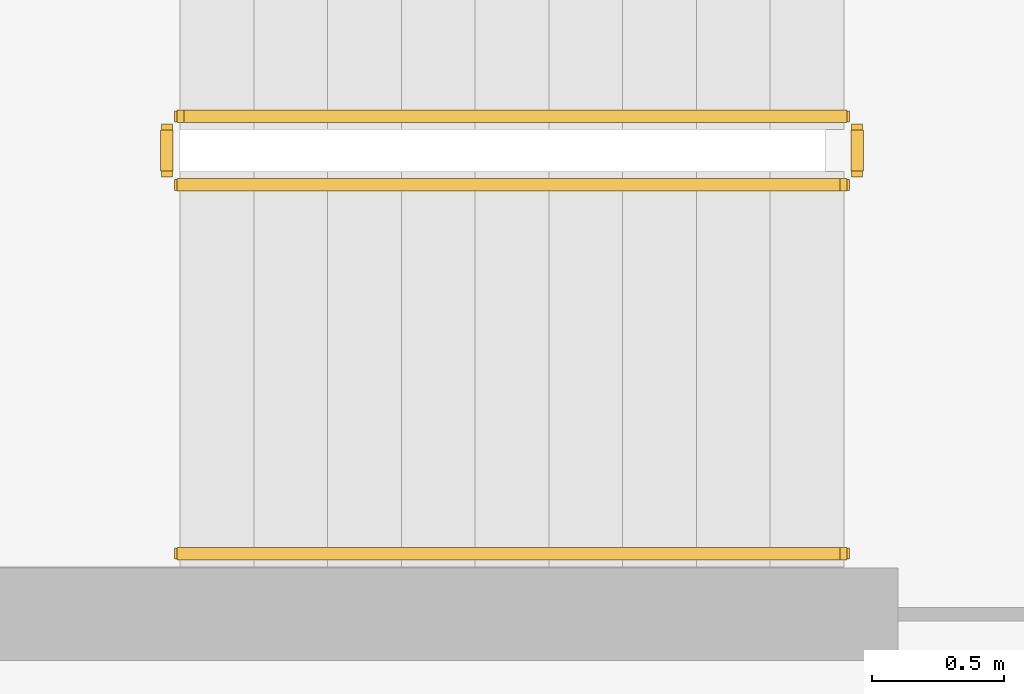
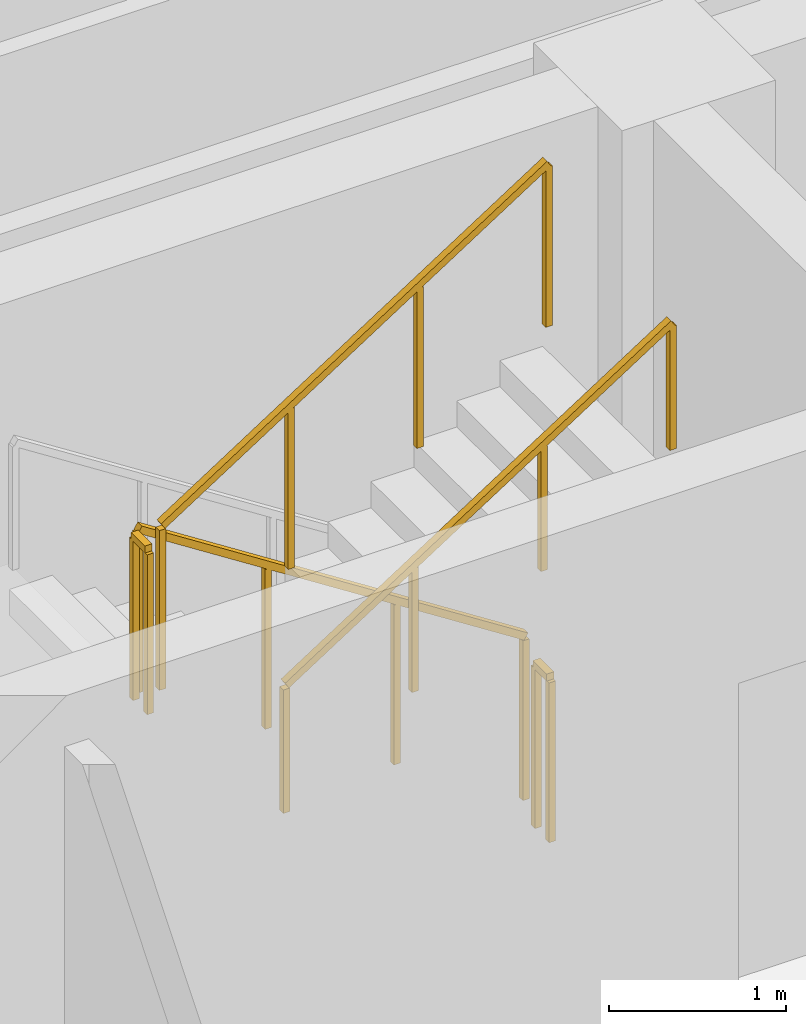
# One storey, part 11 of 13: 5 railings.
"""IFC4 building model written with IfcOpenShell, lengths in metres."""

from ifc_helpers import new_model, si_unit, direction, frame, origin, origin_2d, place, context, subcontext, project, spatial, rectangle, extrude, material, type_object, element, save


model = new_model("IFC4")

# Units and contexts
model_context = context("Model", 3, precision=1e-05, world=origin(), true_north=direction((0.0, 1.0)))
body_context = subcontext(model_context, "Body", "Model", "MODEL_VIEW")
ifc_project = project(units=[si_unit("LENGTHUNIT", "METRE"), si_unit("AREAUNIT", "SQUARE_METRE"), si_unit("VOLUMEUNIT", "CUBIC_METRE"), si_unit("PLANEANGLEUNIT", "RADIAN"), si_unit("MASSUNIT", "GRAM", prefix="KILO")], contexts=[model_context])

# Site, building, storey
site_placement = place(None, origin())
site = spatial("IfcSite", under=ifc_project, at=site_placement, CompositionType="ELEMENT")
building_placement = place(site_placement, origin())
building = spatial("IfcBuilding", under=site, at=building_placement, Name="Zarnavel Station Tower", CompositionType="ELEMENT")
storey_placement = place(building_placement, frame((0.0, 0.0, 240.0)))
storey = spatial("IfcBuildingStorey", under=building, at=storey_placement, Name="L65", CompositionType="ELEMENT", Elevation=240.0)

# Railings
ifc_material_1 = material(Name="Painted Steel S355J2 Balustrade", Category="steel")
railing_type_1 = type_object("IfcRailingType", Name="GR_INT_1150", PredefinedType="GUARDRAIL", material=ifc_material_1)
railing_1_placement = place(storey_placement, frame((19.47998046875, 35.3701171875, 0.179931640625)))
element("IfcRailing", 1, at=railing_1_placement, inside=storey, type_object=railing_type_1, Name="L65 ST1 stair guard 1", PredefinedType="GUARDRAIL", context=body_context, shape_type="SweptSolid", body=[
    extrude(rectangle(XDim=0.048095703125, YDim=0.048095703125, at=origin_2d()), frame((-0.001708984375, 0.0, 1.126953125), z_axis=(-0.841162588446, 0.0, 0.540782303519), x_axis=(0.0, -1.0, 0.0)), (0.0, 0.0, 1.0), 2.991943359375),
    extrude(rectangle(XDim=0.0419921875, YDim=0.0419921875, at=origin_2d()), origin(), (0.0, 0.0, 1.0), 1.101806640625),
    extrude(rectangle(XDim=0.0419921875, YDim=0.0419921875, at=origin_2d()), frame((-0.840087890625, 0.0, 0.5400390625)), (0.0, 0.0, 1.0), 1.101806640625),
    extrude(rectangle(XDim=0.0419921875, YDim=0.0419921875, at=origin_2d()), frame((-1.679931640625, 0.0, 1.080078125)), (0.0, 0.0, 1.0), 1.101806640625),
    extrude(rectangle(XDim=0.0419921875, YDim=0.0419921875, at=origin_2d()), frame((-2.52001953125, 0.0, 1.6201171875)), (0.0, 0.0, 1.0), 1.101806640625),
])
railing_2_placement = place(storey_placement, frame((16.909912109375, 35.320068359375, 1.800048828125)))
element("IfcRailing", 2, at=railing_2_placement, inside=storey, type_object=railing_type_1, Name="L65 ST1 stair guard 2", PredefinedType="GUARDRAIL", context=body_context, shape_type="SweptSolid", body=[
    extrude(rectangle(XDim=0.048095703125, YDim=0.048095703125, at=origin_2d()), frame((0.0, -0.001953125, 1.1259765625), z_axis=(0.0, -1.0, 0.0), x_axis=(1.0, 0.0, 0.0)), (0.0, 0.0, 1.0), 0.15625),
    extrude(rectangle(XDim=0.0419921875, YDim=0.0419921875, at=origin_2d()), origin(), (0.0, 0.0, 1.0), 1.101806640625),
    extrude(rectangle(XDim=0.0419921875, YDim=0.0419921875, at=origin_2d()), frame((0.0, -0.16015625, 0.0)), (0.0, 0.0, 1.0), 1.101806640625),
])
railing_3_placement = place(storey_placement, frame((16.9599609375, 35.110107421875, 1.97998046875)))
element("IfcRailing", 3, at=railing_3_placement, inside=storey, type_object=railing_type_1, Name="L65 ST1 stair guard 3", PredefinedType="GUARDRAIL", context=body_context, shape_type="SweptSolid", body=[
    extrude(rectangle(XDim=0.048095703125, YDim=0.048095703125, at=origin_2d()), frame((0.001708984375, 0.0, 1.126953125), z_axis=(0.841162588446, 0.0, 0.540782303519), x_axis=(0.0, 1.0, 0.0)), (0.0, 0.0, 1.0), 2.991943359375),
    extrude(rectangle(XDim=0.0419921875, YDim=0.0419921875, at=origin_2d()), origin(), (0.0, 0.0, 1.0), 1.101806640625),
    extrude(rectangle(XDim=0.0419921875, YDim=0.0419921875, at=origin_2d()), frame((0.840087890625, 0.0, 0.5400390625)), (0.0, 0.0, 1.0), 1.101806640625),
    extrude(rectangle(XDim=0.0419921875, YDim=0.0419921875, at=origin_2d()), frame((1.679931640625, 0.0, 1.080078125)), (0.0, 0.0, 1.0), 1.101806640625),
    extrude(rectangle(XDim=0.0419921875, YDim=0.0419921875, at=origin_2d()), frame((2.52001953125, 0.0, 1.6201171875)), (0.0, 0.0, 1.0), 1.101806640625),
])
railing_4_placement = place(storey_placement, frame((19.530029296875, 35.320068359375, 0.0)))
element("IfcRailing", 4, at=railing_4_placement, inside=storey, type_object=railing_type_1, Name="L65 ST1 stair guard 4", PredefinedType="GUARDRAIL", context=body_context, shape_type="SweptSolid", body=[
    extrude(rectangle(XDim=0.048095703125, YDim=0.048095703125, at=origin_2d()), frame((0.0, -0.001953125, 1.1259765625), z_axis=(0.0, -1.0, 0.0), x_axis=(1.0, 0.0, 0.0)), (0.0, 0.0, 1.0), 0.15625),
    extrude(rectangle(XDim=0.0419921875, YDim=0.0419921875, at=origin_2d()), origin(), (0.0, 0.0, 1.0), 1.101806640625),
    extrude(rectangle(XDim=0.0419921875, YDim=0.0419921875, at=origin_2d()), frame((0.0, -0.16015625, 0.0)), (0.0, 0.0, 1.0), 1.101806640625),
])
ifc_material_2 = material(Name="Brushed Stainless Steel S355J2 Handrail", Category="steel")
railing_type_2 = type_object("IfcRailingType", Name="HR_STAIR_900", PredefinedType="HANDRAIL", material=ifc_material_2)
railing_5_placement = place(storey_placement, frame((16.9599609375, 33.7099609375, 1.97998046875)))
element("IfcRailing", 5, at=railing_5_placement, inside=storey, type_object=railing_type_2, Name="L65 ST1 stair handrail 2", PredefinedType="HANDRAIL", context=body_context, shape_type="SweptSolid", body=[
    extrude(rectangle(XDim=0.048095703125, YDim=0.048095703125, at=origin_2d()), frame((0.001708984375, 0.0, 0.876953125), z_axis=(0.841162588446, 0.0, 0.540782303519), x_axis=(0.0, 1.0, 0.0)), (0.0, 0.0, 1.0), 2.991943359375),
    extrude(rectangle(XDim=0.0419921875, YDim=0.0419921875, at=origin_2d()), origin(), (0.0, 0.0, 1.0), 0.851806640625),
    extrude(rectangle(XDim=0.0419921875, YDim=0.0419921875, at=origin_2d()), frame((0.840087890625, 0.0, 0.5400390625)), (0.0, 0.0, 1.0), 0.851806640625),
    extrude(rectangle(XDim=0.0419921875, YDim=0.0419921875, at=origin_2d()), frame((1.679931640625, 0.0, 1.080078125)), (0.0, 0.0, 1.0), 0.851806640625),
    extrude(rectangle(XDim=0.0419921875, YDim=0.0419921875, at=origin_2d()), frame((2.52001953125, 0.0, 1.6201171875)), (0.0, 0.0, 1.0), 0.851806640625),
])

save(model, "model.ifc")
